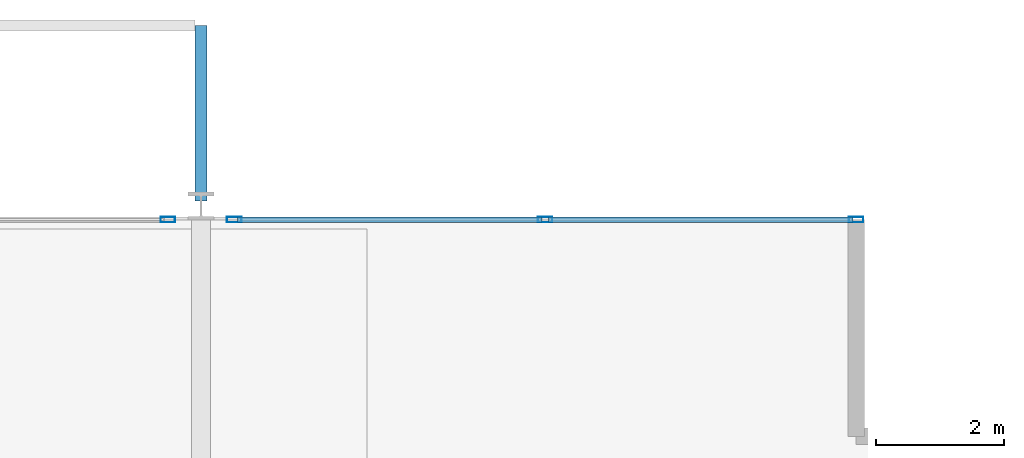
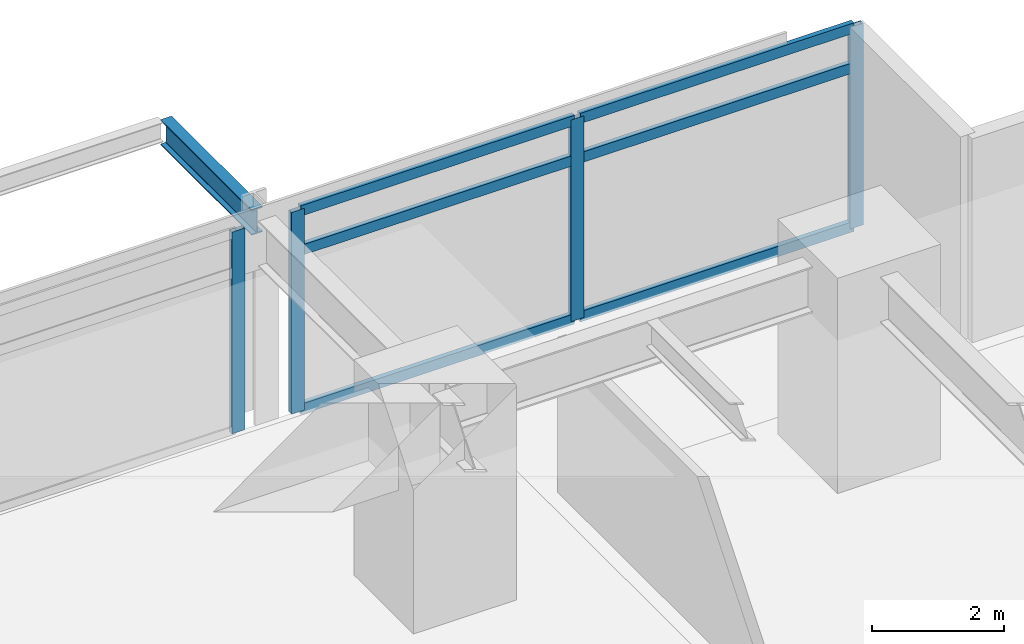
# One storey, part 11 of 20: 10 members, 1 beam, 2 elements without a shape of their own.
"""IFC4 building model written with IfcOpenShell, lengths in metres."""

from ifc_helpers import new_model, si_unit, direction, frame, origin, origin_2d, place, context, subcontext, project, spatial, hollow_rectangle, i_section, extrude, material, material_profile, profile_set, type_object, element, aggregate, save


model = new_model("IFC4")

# Units and contexts
model_context = context("Model", 3, precision=1e-05, world=origin(), true_north=direction((0.0, 1.0)))
body_context = subcontext(model_context, "Body", "Model", "MODEL_VIEW")
ifc_project = project(units=[si_unit("LENGTHUNIT", "METRE"), si_unit("AREAUNIT", "SQUARE_METRE"), si_unit("VOLUMEUNIT", "CUBIC_METRE"), si_unit("PLANEANGLEUNIT", "RADIAN"), si_unit("MASSUNIT", "GRAM", prefix="KILO")], contexts=[model_context])

# Site, building, storey
site_placement = place(None, origin())
site = spatial("IfcSite", under=ifc_project, at=site_placement, CompositionType="ELEMENT")
building_placement = place(site_placement, origin())
building = spatial("IfcBuilding", under=site, at=building_placement, Name="Kovane Verandah Tower", CompositionType="ELEMENT")
storey_placement = place(building_placement, frame((0.0, 0.0, 35.60009765625)))
storey = spatial("IfcBuildingStorey", under=building, at=storey_placement, Name="L07", CompositionType="ELEMENT", Elevation=35.60009765625)

# Curtain wall, members
ifc_material_1 = material(Name="Champagne Anodised Aluminium Frame with Low-E Clear Laminated Glass", Category="aluminium")
curtain_wall_type = type_object("IfcCurtainWallType", Name="CW-SYS-02-LOW", PredefinedType="NOTDEFINED", material=ifc_material_1)
curtain_wall_1_placement = place(storey_placement, origin())
curtain_wall_1 = element("IfcCurtainWall", 1, at=curtain_wall_1_placement, inside=storey, type_object=curtain_wall_type, Name="L07 N Unitised Curtain Wall-1", PredefinedType="NOTDEFINED")
ifc_material_2 = material(Name="Champagne Anodised Aluminium 6063-T6", Category="aluminium")
ifc_material_profile_1 = material_profile(ifc_material_2, hollow_rectangle(XDim=0.0849609375, YDim=0.22998046875, WallThickness=0.00390625, at=origin_2d()), Name="AL85x230x4")
ifc_profile_set_1 = profile_set([ifc_material_profile_1], Name="Champagne Anodised Aluminium 6063-T6")
member_type_1 = type_object("IfcMemberType", Name="CW-MUL-85x230", PredefinedType="MULLION", material=ifc_profile_set_1)
member_1_placement = place(storey_placement, frame((61.2705078125, 49.289306640625, 0.02001953125), z_axis=(0.0, 0.0, 1.0), x_axis=(0.0, 1.0, 0.0)))
member_1 = element("IfcMember", 2, at=member_1_placement, type_object=member_type_1, Name="L07 N Unitised Curtain Wall-1 Mullion 1", PredefinedType="MULLION", context=body_context, shape_type="SweptSolid", body=[
    extrude(hollow_rectangle(XDim=0.0849609375, YDim=0.22998046875, WallThickness=0.00390625, at=origin_2d()), origin(), (0.0, 0.0, 1.0), 3.719970703125),
])
member_2_placement = place(storey_placement, frame((56.395263671875, 49.289306640625, 0.02001953125), z_axis=(0.0, 0.0, 1.0), x_axis=(0.0, 1.0, 0.0)))
member_2 = element("IfcMember", 3, at=member_2_placement, type_object=member_type_1, Name="L07 N Unitised Curtain Wall-1 Mullion 2", PredefinedType="MULLION", context=body_context, shape_type="SweptSolid", body=[
    extrude(hollow_rectangle(XDim=0.0849609375, YDim=0.22998046875, WallThickness=0.00390625, at=origin_2d()), origin(), (0.0, 0.0, 1.0), 3.719970703125),
])
member_3_placement = place(storey_placement, frame((51.52001953125, 49.289306640625, 0.02001953125), z_axis=(0.0, 0.0, 1.0), x_axis=(0.0, 1.0, 0.0)))
member_3 = element("IfcMember", 4, at=member_3_placement, type_object=member_type_1, Name="L07 N Unitised Curtain Wall-1 Mullion 3", PredefinedType="MULLION", context=body_context, shape_type="SweptSolid", body=[
    extrude(hollow_rectangle(XDim=0.0849609375, YDim=0.22998046875, WallThickness=0.00390625, at=origin_2d()), origin(), (0.0, 0.0, 1.0), 3.719970703125),
])

# Curtain wall, member
curtain_wall_2_placement = place(storey_placement, origin())
curtain_wall_2 = element("IfcCurtainWall", 5, at=curtain_wall_2_placement, inside=storey, type_object=curtain_wall_type, Name="L07 N Unitised Curtain Wall-2", PredefinedType="NOTDEFINED")
member_4_placement = place(storey_placement, frame((50.47998046875, 49.289306640625, 0.02001953125), z_axis=(0.0, 0.0, 1.0), x_axis=(0.0, 1.0, 0.0)))
member_4 = element("IfcMember", 6, at=member_4_placement, type_object=member_type_1, Name="L07 N Unitised Curtain Wall-2 Mullion 1", PredefinedType="MULLION", context=body_context, shape_type="SweptSolid", body=[
    extrude(hollow_rectangle(XDim=0.0849609375, YDim=0.22998046875, WallThickness=0.00390625, at=origin_2d()), origin(), (0.0, 0.0, 1.0), 3.719970703125),
])
aggregate(curtain_wall_2, [member_4])

# Member
ifc_material_profile_2 = material_profile(ifc_material_2, hollow_rectangle(XDim=0.0849609375, YDim=0.18994140625, WallThickness=0.00390625, at=origin_2d()), Name="AL85x190x4")
ifc_profile_set_2 = profile_set([ifc_material_profile_2], Name="Champagne Anodised Aluminium 6063-T6")
member_type_2 = type_object("IfcMemberType", Name="CW-TRN-85x190", PredefinedType="USERDEFINED", material=ifc_profile_set_2)
member_5_placement = place(storey_placement, frame((61.220458984375, 49.289306640625, 0.0498046875), z_axis=(-1.0, 0.0, 0.0), x_axis=(0.0, -1.0, 0.0)))
member_5 = element("IfcMember", 7, at=member_5_placement, type_object=member_type_2, Name="L07 N Unitised Curtain Wall-1 Transom TB Bay 1", ObjectType="TRANSOM", PredefinedType="USERDEFINED", context=body_context, shape_type="SweptSolid", body=[
    extrude(hollow_rectangle(XDim=0.0849609375, YDim=0.18994140625, WallThickness=0.00390625, at=origin_2d()), origin(), (0.0, 0.0, 1.0), 4.775146484375),
])

member_6_placement = place(storey_placement, frame((61.220458984375, 49.289306640625, 2.97998046875), z_axis=(-1.0, 0.0, 0.0), x_axis=(0.0, -1.0, 0.0)))
member_6 = element("IfcMember", 8, at=member_6_placement, type_object=member_type_2, Name="L07 N Unitised Curtain Wall-1 Transom TM Bay 1", ObjectType="TRANSOM", PredefinedType="USERDEFINED", context=body_context, shape_type="SweptSolid", body=[
    extrude(hollow_rectangle(XDim=0.0849609375, YDim=0.18994140625, WallThickness=0.00390625, at=origin_2d()), origin(), (0.0, 0.0, 1.0), 4.775146484375),
])

member_7_placement = place(storey_placement, frame((61.220458984375, 49.289306640625, 3.7099609375), z_axis=(-1.0, 0.0, 0.0), x_axis=(0.0, -1.0, 0.0)))
member_7 = element("IfcMember", 9, at=member_7_placement, type_object=member_type_2, Name="L07 N Unitised Curtain Wall-1 Transom TT Bay 1", ObjectType="TRANSOM", PredefinedType="USERDEFINED", context=body_context, shape_type="SweptSolid", body=[
    extrude(hollow_rectangle(XDim=0.0849609375, YDim=0.18994140625, WallThickness=0.00390625, at=origin_2d()), origin(), (0.0, 0.0, 1.0), 4.775146484375),
])

member_8_placement = place(storey_placement, frame((56.34521484375, 49.289306640625, 0.0498046875), z_axis=(-1.0, 0.0, 0.0), x_axis=(0.0, -1.0, 0.0)))
member_8 = element("IfcMember", 10, at=member_8_placement, type_object=member_type_2, Name="L07 N Unitised Curtain Wall-1 Transom TB Bay 2", ObjectType="TRANSOM", PredefinedType="USERDEFINED", context=body_context, shape_type="SweptSolid", body=[
    extrude(hollow_rectangle(XDim=0.0849609375, YDim=0.18994140625, WallThickness=0.00390625, at=origin_2d()), origin(), (0.0, 0.0, 1.0), 4.775146484375),
])

member_9_placement = place(storey_placement, frame((56.34521484375, 49.289306640625, 2.97998046875), z_axis=(-1.0, 0.0, 0.0), x_axis=(0.0, -1.0, 0.0)))
member_9 = element("IfcMember", 11, at=member_9_placement, type_object=member_type_2, Name="L07 N Unitised Curtain Wall-1 Transom TM Bay 2", ObjectType="TRANSOM", PredefinedType="USERDEFINED", context=body_context, shape_type="SweptSolid", body=[
    extrude(hollow_rectangle(XDim=0.0849609375, YDim=0.18994140625, WallThickness=0.00390625, at=origin_2d()), origin(), (0.0, 0.0, 1.0), 4.775146484375),
])

member_10_placement = place(storey_placement, frame((56.34521484375, 49.289306640625, 3.7099609375), z_axis=(-1.0, 0.0, 0.0), x_axis=(0.0, -1.0, 0.0)))
member_10 = element("IfcMember", 12, at=member_10_placement, type_object=member_type_2, Name="L07 N Unitised Curtain Wall-1 Transom TT Bay 2", ObjectType="TRANSOM", PredefinedType="USERDEFINED", context=body_context, shape_type="SweptSolid", body=[
    extrude(hollow_rectangle(XDim=0.0849609375, YDim=0.18994140625, WallThickness=0.00390625, at=origin_2d()), origin(), (0.0, 0.0, 1.0), 4.775146484375),
])

aggregate(curtain_wall_1, [member_1, member_2, member_3, member_5, member_6, member_7, member_8, member_9, member_10])

# Beam
ifc_material_3 = material(Name="Steel S355", Category="steel")
ifc_material_profile_3 = material_profile(ifc_material_3, i_section(OverallWidth=0.19287109375, OverallDepth=0.46728515625, WebThickness=0.011474609375, FlangeThickness=0.01953125, FilletRadius=0.01025390625, at=origin_2d()), Name="UB457x191x98")
ifc_profile_set_3 = profile_set([ifc_material_profile_3], Name="Steel S355")
beam_type = type_object("IfcBeamType", Name="JST-UB457x98", PredefinedType="JOIST", material=ifc_profile_set_3)
beam_placement = place(storey_placement, frame((51.0, 49.580078125, 3.5263671875), z_axis=(0.0, 1.0, 0.0), x_axis=(-1.0, 0.0, 0.0)))
element("IfcBeam", 13, at=beam_placement, inside=storey, type_object=beam_type, Name="L07 North Planter Girder 2", PredefinedType="JOIST", context=body_context, shape_type="SweptSolid", body=[
    extrude(i_section(OverallWidth=0.19287109375, OverallDepth=0.46728515625, WebThickness=0.011474609375, FlangeThickness=0.01953125, FilletRadius=0.01025390625, at=origin_2d()), origin(), (0.0, 0.0, 1.0), 2.752197265625),
])

save(model, "model.ifc")
